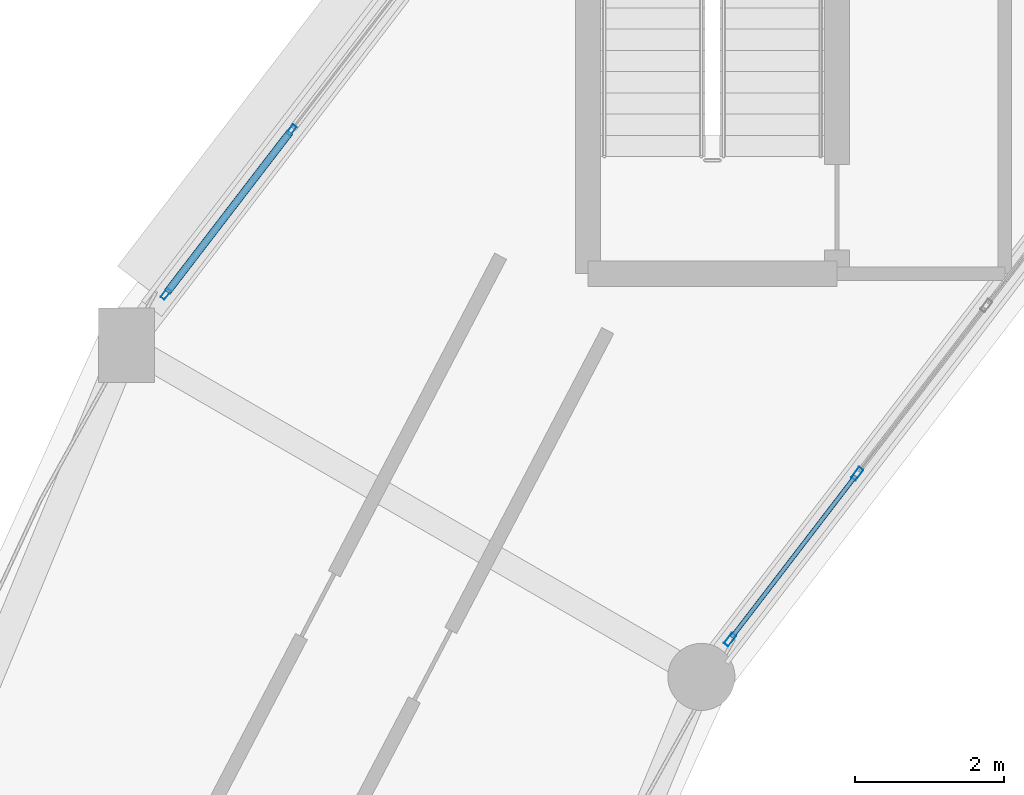
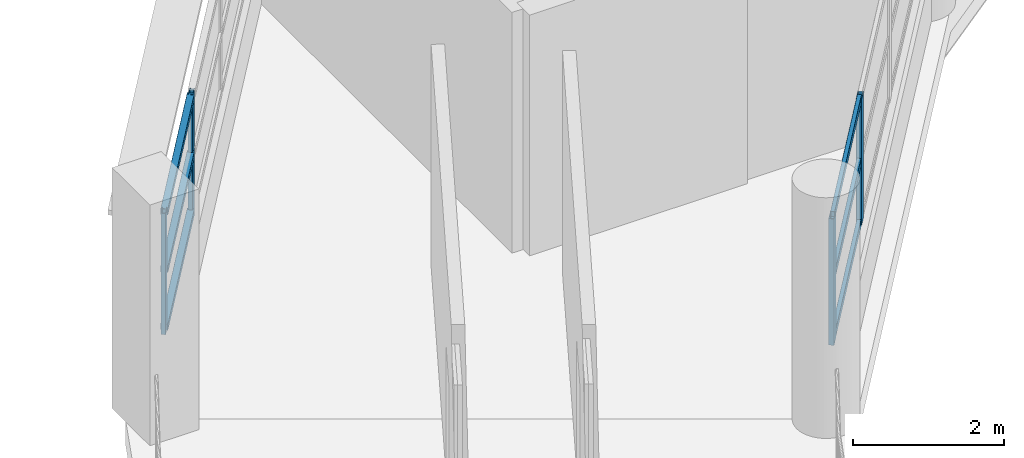
# One storey, part 58 of 108: 10 members, 2 elements without a shape of their own.
"""IFC4 building model written with IfcOpenShell, lengths in metres."""

from ifc_helpers import new_model, si_unit, direction, frame, origin, origin_2d, place, context, subcontext, project, spatial, hollow_rectangle, extrude, material, layer, layer_set, material_profile, profile_set, type_object, element, aggregate, save


model = new_model("IFC4")

# Units and contexts
model_context = context("Model", 3, precision=1e-05, world=origin(), true_north=direction((0.0, 1.0)))
body_context = subcontext(model_context, "Body", "Model", "MODEL_VIEW")
ifc_project = project(units=[si_unit("LENGTHUNIT", "METRE"), si_unit("AREAUNIT", "SQUARE_METRE"), si_unit("VOLUMEUNIT", "CUBIC_METRE"), si_unit("PLANEANGLEUNIT", "RADIAN"), si_unit("MASSUNIT", "GRAM", prefix="KILO")], contexts=[model_context])

# Site, building, storey
site_placement = place(None, origin())
site = spatial("IfcSite", under=ifc_project, at=site_placement, CompositionType="ELEMENT")
building_placement = place(site_placement, origin())
building = spatial("IfcBuilding", under=site, at=building_placement, Name="Vespera Passage Community Centre", CompositionType="ELEMENT")
storey_placement = place(building_placement, frame((0.0, 0.0, 12.60009765625)))
storey = spatial("IfcBuildingStorey", under=building, at=storey_placement, Name="L03", CompositionType="ELEMENT", Elevation=12.60009765625)

# Curtain wall, members
ifc_material_1 = material(Name="Anodized aluminium 6063-T6", Category="aluminium")
ifc_layer_1 = layer(ifc_material_1, 0.159912109375)
ifc_layer_set_1 = layer_set([ifc_layer_1], Name="Anodized aluminium 6063-T6")
curtain_wall_type_1 = type_object("IfcCurtainWallType", Name="CW-46E", PredefinedType="NOTDEFINED", material=ifc_layer_set_1)
curtain_wall_1_placement = place(storey_placement, origin())
curtain_wall_1 = element("IfcCurtainWall", 1, at=curtain_wall_1_placement, inside=storey, type_object=curtain_wall_type_1, Name="V4 L03 Outer Ribbon Curtain Wall 9", PredefinedType="NOTDEFINED")
ifc_material_2 = material(Name="Anodized aluminium 6063-T6", Category="aluminium")
ifc_material_profile_1 = material_profile(ifc_material_2, hollow_rectangle(XDim=0.06494140625, YDim=0.14990234375, WallThickness=0.00390625, InnerFilletRadius=0.001953125, OuterFilletRadius=0.00390625, at=origin_2d()), Name="ALU150X65X4")
ifc_profile_set_1 = profile_set([ifc_material_profile_1], Name="Anodized aluminium 6063-T6")
member_type_1 = type_object("IfcMemberType", Name="MB-CWM-150E", PredefinedType="MULLION", material=ifc_profile_set_1)
member_1_placement = place(storey_placement, frame((38.601806640625, 89.235107421875, 0.81982421875), z_axis=(0.0, 0.0, 1.0), x_axis=(-0.793350429062, 0.608765222978, 0.0)))
member_1 = element("IfcMember", 2, at=member_1_placement, type_object=member_type_1, Name="CW-46E mullion 1", PredefinedType="MULLION", context=body_context, shape_type="SweptSolid", body=[
    extrude(hollow_rectangle(XDim=0.06494140625, YDim=0.14990234375, WallThickness=0.00390625, InnerFilletRadius=0.001953125, OuterFilletRadius=0.00390625, at=origin_2d()), origin(), (0.0, 0.0, 1.0), 1.965576171875),
])
member_2_placement = place(storey_placement, frame((40.287109375, 91.431396484375, 0.81982421875), z_axis=(0.0, 0.0, 1.0), x_axis=(-0.793350429062, 0.608765222978, 0.0)))
member_2 = element("IfcMember", 3, at=member_2_placement, type_object=member_type_1, Name="CW-46E mullion 2", PredefinedType="MULLION", context=body_context, shape_type="SweptSolid", body=[
    extrude(hollow_rectangle(XDim=0.06494140625, YDim=0.14990234375, WallThickness=0.00390625, InnerFilletRadius=0.001953125, OuterFilletRadius=0.00390625, at=origin_2d()), origin(), (0.0, 0.0, 1.0), 1.965576171875),
])

ifc_material_3 = material(Name="Anodized aluminium 6063-T6", Category="aluminium")
ifc_layer_2 = layer(ifc_material_3, 0.159912109375)
ifc_layer_set_2 = layer_set([ifc_layer_2], Name="Anodized aluminium 6063-T6")
curtain_wall_type_2 = type_object("IfcCurtainWallType", Name="CW-38E", PredefinedType="NOTDEFINED", material=ifc_layer_set_2)
curtain_wall_2_placement = place(storey_placement, origin())
curtain_wall_2 = element("IfcCurtainWall", 4, at=curtain_wall_2_placement, inside=storey, type_object=curtain_wall_type_2, Name="V4 L03 Inner Court Curtain Wall 9", PredefinedType="NOTDEFINED")
ifc_material_4 = material(Name="Anodized aluminium 6063-T6", Category="aluminium")
ifc_material_profile_2 = material_profile(ifc_material_4, hollow_rectangle(XDim=0.074951171875, YDim=0.179931640625, WallThickness=0.0048828125, InnerFilletRadius=0.00244140625, OuterFilletRadius=0.0048828125, at=origin_2d()), Name="ALU180X75X5")
ifc_profile_set_2 = profile_set([ifc_material_profile_2], Name="Anodized aluminium 6063-T6")
member_type_2 = type_object("IfcMemberType", Name="MB-CWM-180E", PredefinedType="MULLION", material=ifc_profile_set_2)
member_3_placement = place(storey_placement, frame((47.874755859375, 86.824951171875, 0.81982421875), z_axis=(0.0, 0.0, 1.0), x_axis=(0.793358205999, -0.608755087843, 0.0)))
member_3 = element("IfcMember", 5, at=member_3_placement, type_object=member_type_2, Name="CW-38E mullion 3", PredefinedType="MULLION", context=body_context, shape_type="SweptSolid", body=[
    extrude(hollow_rectangle(XDim=0.074951171875, YDim=0.179931640625, WallThickness=0.0048828125, InnerFilletRadius=0.00244140625, OuterFilletRadius=0.0048828125, at=origin_2d()), origin(), (0.0, 0.0, 1.0), 2.049560546875),
])
member_4_placement = place(storey_placement, frame((46.167724609375, 84.600341796875, 0.81982421875), z_axis=(0.0, 0.0, 1.0), x_axis=(0.793358205999, -0.608755087843, 0.0)))
member_4 = element("IfcMember", 6, at=member_4_placement, type_object=member_type_2, Name="CW-38E mullion 4", PredefinedType="MULLION", context=body_context, shape_type="SweptSolid", body=[
    extrude(hollow_rectangle(XDim=0.074951171875, YDim=0.179931640625, WallThickness=0.0048828125, InnerFilletRadius=0.00244140625, OuterFilletRadius=0.0048828125, at=origin_2d()), origin(), (0.0, 0.0, 1.0), 2.049560546875),
])

# Member
ifc_material_5 = material(Name="Anodized aluminium 6063-T6", Category="aluminium")
ifc_material_profile_3 = material_profile(ifc_material_5, hollow_rectangle(XDim=0.10009765625, YDim=0.10009765625, WallThickness=0.00390625, InnerFilletRadius=0.001953125, OuterFilletRadius=0.00390625, at=origin_2d()), Name="ALU100X100X4")
ifc_profile_set_3 = profile_set([ifc_material_profile_3], Name="Anodized aluminium 6063-T6")
member_type_3 = type_object("IfcMemberType", Name="MB-CWT-100E", PredefinedType="USERDEFINED", material=ifc_profile_set_3)
member_5_placement = place(storey_placement, frame((38.62158203125, 89.260986328125, 0.869873046875), z_axis=(0.608806888702, 0.793318455772, 0.0), x_axis=(-0.793318455772, 0.608806888702, 0.0)))
member_5 = element("IfcMember", 7, at=member_5_placement, type_object=member_type_3, Name="CW-46E transom 1.1", ObjectType="TRANSOM", PredefinedType="USERDEFINED", context=body_context, shape_type="SweptSolid", body=[
    extrude(hollow_rectangle(XDim=0.10009765625, YDim=0.10009765625, WallThickness=0.00390625, InnerFilletRadius=0.001953125, OuterFilletRadius=0.00390625, at=origin_2d()), origin(), (0.0, 0.0, 1.0), 2.703125),
])

member_6_placement = place(storey_placement, frame((38.62158203125, 89.260986328125, 1.802734375), z_axis=(0.608806888702, 0.793318455772, 0.0), x_axis=(-0.793318455772, 0.608806888702, 0.0)))
member_6 = element("IfcMember", 8, at=member_6_placement, type_object=member_type_3, Name="CW-46E transom 1.2", ObjectType="TRANSOM", PredefinedType="USERDEFINED", context=body_context, shape_type="SweptSolid", body=[
    extrude(hollow_rectangle(XDim=0.10009765625, YDim=0.10009765625, WallThickness=0.00390625, InnerFilletRadius=0.001953125, OuterFilletRadius=0.00390625, at=origin_2d()), origin(), (0.0, 0.0, 1.0), 2.703125),
])

member_7_placement = place(storey_placement, frame((38.62158203125, 89.260986328125, 2.735595703125), z_axis=(0.608806888702, 0.793318455772, 0.0), x_axis=(-0.793318455772, 0.608806888702, 0.0)))
member_7 = element("IfcMember", 9, at=member_7_placement, type_object=member_type_3, Name="CW-46E transom 1.3", ObjectType="TRANSOM", PredefinedType="USERDEFINED", context=body_context, shape_type="SweptSolid", body=[
    extrude(hollow_rectangle(XDim=0.10009765625, YDim=0.10009765625, WallThickness=0.00390625, InnerFilletRadius=0.001953125, OuterFilletRadius=0.00390625, at=origin_2d()), origin(), (0.0, 0.0, 1.0), 2.703125),
])

aggregate(curtain_wall_1, [member_1, member_2, member_5, member_6, member_7])

ifc_material_6 = material(Name="Anodized aluminium 6063-T6", Category="aluminium")
ifc_material_profile_4 = material_profile(ifc_material_6, hollow_rectangle(XDim=0.06005859375, YDim=0.1201171875, WallThickness=0.00390625, InnerFilletRadius=0.001953125, OuterFilletRadius=0.00390625, at=origin_2d()), Name="ALU120X60X4")
ifc_profile_set_4 = profile_set([ifc_material_profile_4], Name="Anodized aluminium 6063-T6")
member_type_4 = type_object("IfcMemberType", Name="MB-CWT-120E", PredefinedType="USERDEFINED", material=ifc_profile_set_4)
member_8_placement = place(storey_placement, frame((47.85205078125, 86.795166015625, 0.849853515625), z_axis=(-0.608780813839, -0.793338465411, 0.0), x_axis=(0.793338465411, -0.608780813839, 0.0)))
member_8 = element("IfcMember", 10, at=member_8_placement, type_object=member_type_4, Name="CW-38E transom 3.1", ObjectType="TRANSOM", PredefinedType="USERDEFINED", context=body_context, shape_type="SweptSolid", body=[
    extrude(hollow_rectangle(XDim=0.06005859375, YDim=0.1201171875, WallThickness=0.00390625, InnerFilletRadius=0.001953125, OuterFilletRadius=0.00390625, at=origin_2d()), origin(), (0.0, 0.0, 1.0), 2.72900390625),
])

member_9_placement = place(storey_placement, frame((47.85205078125, 86.795166015625, 1.844482421875), z_axis=(-0.608780813839, -0.793338465411, 0.0), x_axis=(0.793338465411, -0.608780813839, 0.0)))
member_9 = element("IfcMember", 11, at=member_9_placement, type_object=member_type_4, Name="CW-38E transom 3.2", ObjectType="TRANSOM", PredefinedType="USERDEFINED", context=body_context, shape_type="SweptSolid", body=[
    extrude(hollow_rectangle(XDim=0.06005859375, YDim=0.1201171875, WallThickness=0.00390625, InnerFilletRadius=0.001953125, OuterFilletRadius=0.00390625, at=origin_2d()), origin(), (0.0, 0.0, 1.0), 2.72900390625),
])

member_10_placement = place(storey_placement, frame((47.85205078125, 86.795166015625, 2.83935546875), z_axis=(-0.608780813839, -0.793338465411, 0.0), x_axis=(0.793338465411, -0.608780813839, 0.0)))
member_10 = element("IfcMember", 12, at=member_10_placement, type_object=member_type_4, Name="CW-38E transom 3.3", ObjectType="TRANSOM", PredefinedType="USERDEFINED", context=body_context, shape_type="SweptSolid", body=[
    extrude(hollow_rectangle(XDim=0.06005859375, YDim=0.1201171875, WallThickness=0.00390625, InnerFilletRadius=0.001953125, OuterFilletRadius=0.00390625, at=origin_2d()), origin(), (0.0, 0.0, 1.0), 2.72900390625),
])

aggregate(curtain_wall_2, [member_3, member_4, member_8, member_9, member_10])

save(model, "model.ifc")
